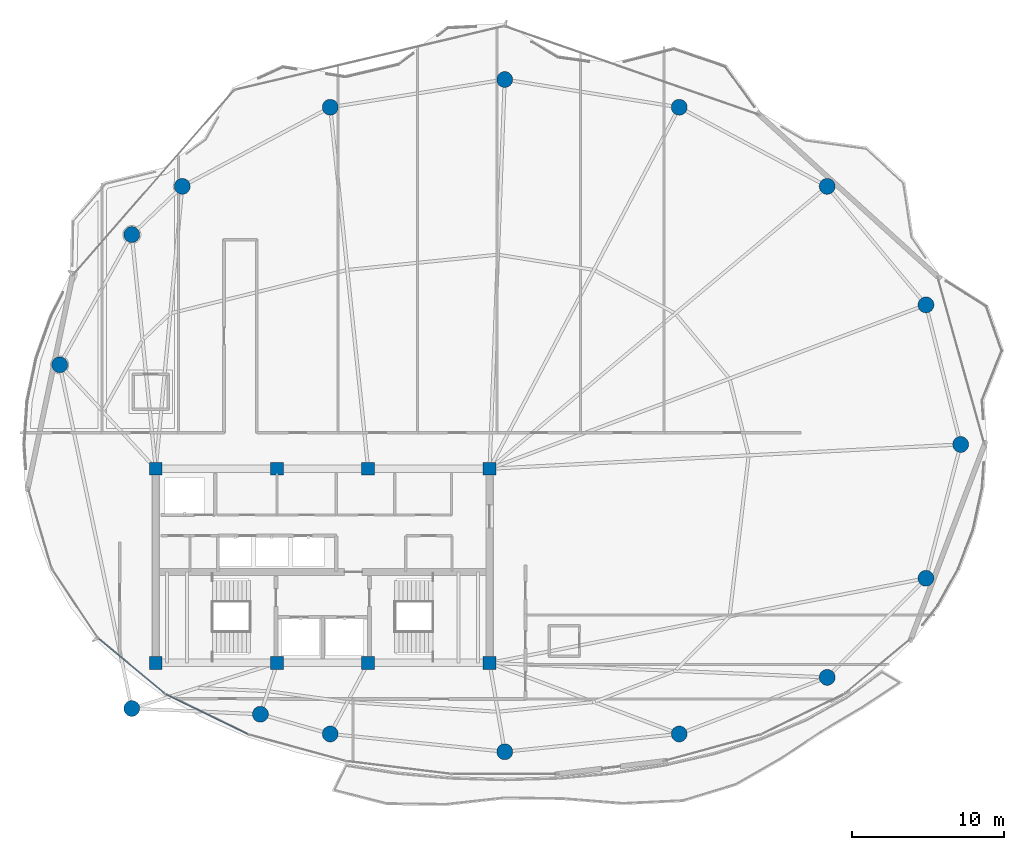
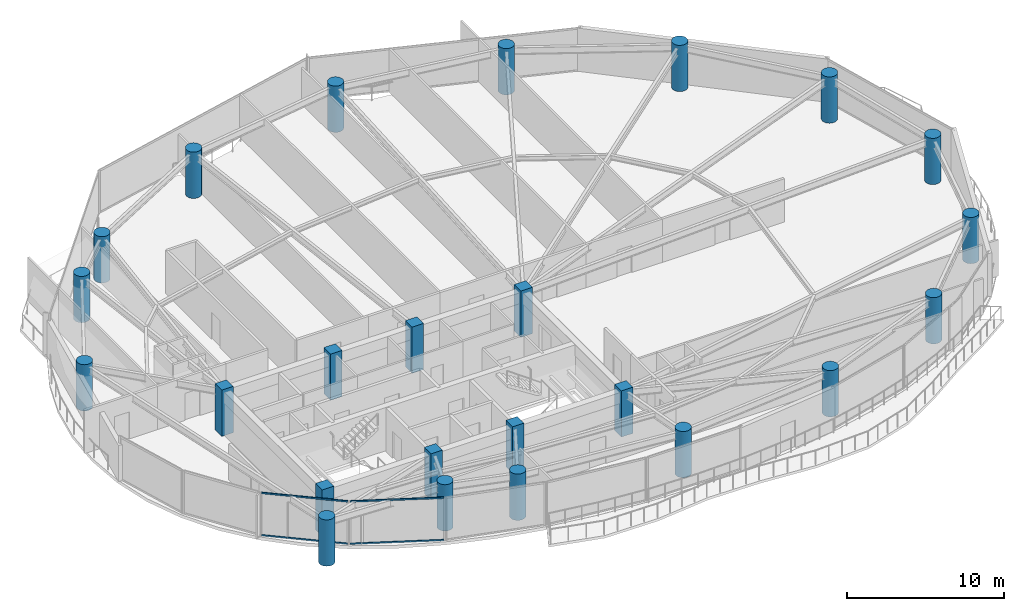
# One storey, part 1 of 29: 24 columns, 4 members, 2 elements without a shape of their own.
"""IFC4 building model written with IfcOpenShell, lengths in metres."""

from ifc_helpers import new_model, si_unit, direction, frame, origin, origin_2d, place, context, subcontext, project, spatial, rectangle, hollow_rectangle, circle, extrude, material, layer, layer_set, material_profile, profile_set, type_object, element, aggregate, save


model = new_model("IFC4")

# Units and contexts
model_context = context("Model", 3, precision=1e-05, world=origin(), true_north=direction((0.0, 1.0)))
body_context = subcontext(model_context, "Body", "Model", "MODEL_VIEW")
ifc_project = project(units=[si_unit("LENGTHUNIT", "METRE"), si_unit("AREAUNIT", "SQUARE_METRE"), si_unit("VOLUMEUNIT", "CUBIC_METRE"), si_unit("PLANEANGLEUNIT", "RADIAN"), si_unit("MASSUNIT", "GRAM", prefix="KILO")], contexts=[model_context])

# Site, building, storey
site_placement = place(None, origin())
site = spatial("IfcSite", under=ifc_project, at=site_placement, CompositionType="ELEMENT")
building_placement = place(site_placement, origin())
building = spatial("IfcBuilding", under=site, at=building_placement, Name="Kazevale Care Tower and Concert Hall", CompositionType="ELEMENT")
storey_placement = place(building_placement, frame((0.0, 0.0, 213.60009765625)))
storey = spatial("IfcBuildingStorey", under=building, at=storey_placement, Name="L56", CompositionType="ELEMENT", Elevation=213.60009765625)

# Columns
ifc_material_1 = material(Name="Concrete C50", Category="concrete")
ifc_material_profile_1 = material_profile(ifc_material_1, rectangle(XDim=0.85009765625, YDim=0.85009765625, at=origin_2d()), Name="RC-SQ850")
ifc_profile_set_1 = profile_set([ifc_material_profile_1], Name="Concrete C50")
column_type_1 = type_object("IfcColumnType", Name="Core Column SQ850 C50", PredefinedType="COLUMN", material=ifc_profile_set_1)
for number, where, z_axis, x_axis, name in (
    (1, (22.0, 23.60009765625, 0.0), (0.0, 0.0, 1.0), (1.0, 0.0, 0.0), "col:L56:CC-01"),
    (2, (30.0, 23.60009765625, 0.0), (0.0, 0.0, 1.0), (1.0, 0.0, 0.0), "col:L56:CC-02"),
    (3, (36.0, 23.60009765625, 0.0), (0.0, 0.0, 1.0), (1.0, 0.0, 0.0), "col:L56:CC-03"),
    (4, (44.0, 23.60009765625, 0.0), (0.0, 0.0, 1.0), (1.0, 0.0, 0.0), "col:L56:CC-04"),
    (5, (44.0, 36.39990234375, 0.0), (0.0, 0.0, 1.0), (1.0, 0.0, 0.0), "col:L56:CC-05"),
    (6, (36.0, 36.39990234375, 0.0), (0.0, 0.0, 1.0), (1.0, 0.0, 0.0), "col:L56:CC-06"),
    (7, (30.0, 36.39990234375, 0.0), (0.0, 0.0, 1.0), (1.0, 0.0, 0.0), "col:L56:CC-07"),
    (8, (22.0, 36.39990234375, 0.0), (0.0, 0.0, 1.0), (1.0, 0.0, 0.0), "col:L56:CC-08"),
):
    element("IfcColumn", number, at=place(storey_placement, frame(where, z_axis=z_axis, x_axis=x_axis)), inside=storey, type_object=column_type_1, Name=name, PredefinedType="COLUMN", context=body_context, shape_type="SweptSolid", body=[
        extrude(rectangle(XDim=0.85009765625, YDim=0.85009765625, at=origin_2d()), origin(), (0.0, 0.0, 1.0), 3.599853515625),
    ])
ifc_material_profile_2 = material_profile(ifc_material_1, circle(Radius=0.52490234375, at=origin_2d()), Name="RC-CIR1050")
ifc_profile_set_2 = profile_set([ifc_material_profile_2], Name="Concrete C50")
column_type_2 = type_object("IfcColumnType", Name="Perimeter Column CIR1050 C50", PredefinedType="COLUMN", material=ifc_profile_set_2)
for number, where, z_axis, x_axis, name in (
    (9, (75.050048828125, 38.0, 0.0), (0.0, 0.0, 1.0), (1.0, 0.0, 0.0), "col:L56:PC-01"),
    (10, (72.760009765625, 47.199951171875, 0.0), (0.0, 0.0, 1.0), (1.0, 0.0, 0.0), "col:L56:PC-02"),
    (11, (66.25, 55.010009765625, 0.0), (0.0, 0.0, 1.0), (1.0, 0.0, 0.0), "col:L56:PC-03"),
    (12, (56.5, 60.219970703125, 0.0), (0.0, 0.0, 1.0), (1.0, 0.0, 0.0), "col:L56:PC-04"),
    (13, (45.0, 62.050048828125, 0.0), (0.0, 0.0, 1.0), (1.0, 0.0, 0.0), "col:L56:PC-05"),
    (14, (33.5, 60.219970703125, 0.0), (0.0, 0.0, 1.0), (1.0, 0.0, 0.0), "col:L56:PC-06"),
    (15, (23.75, 55.010009765625, 0.0), (0.0, 0.0, 1.0), (1.0, 0.0, 0.0), "col:L56:PC-07"),
    (16, (20.419921875, 51.830078125, 0.0), (0.0, 0.0, 1.0), (1.0, 0.0, 0.0), "col:L56:PC-08"),
    (17, (15.669921875, 43.25, 0.0), (0.0, 0.0, 1.0), (1.0, 0.0, 0.0), "col:L56:PC-09"),
    (18, (20.419921875, 20.60009765625, 0.0), (0.0, 0.0, 1.0), (1.0, 0.0, 0.0), "col:L56:PC-10"),
    (19, (28.89990234375, 20.219970703125, 0.0), (0.0, 0.0, 1.0), (1.0, 0.0, 0.0), "col:L56:PC-11"),
    (20, (33.5, 18.919921875, 0.0), (0.0, 0.0, 1.0), (1.0, 0.0, 0.0), "col:L56:PC-12"),
    (21, (45.0, 17.75, 0.0), (0.0, 0.0, 1.0), (1.0, 0.0, 0.0), "col:L56:PC-13"),
    (22, (56.5, 18.919921875, 0.0), (0.0, 0.0, 1.0), (1.0, 0.0, 0.0), "col:L56:PC-14"),
    (23, (66.25, 22.64990234375, 0.0), (0.0, 0.0, 1.0), (1.0, 0.0, 0.0), "col:L56:PC-15"),
    (24, (72.760009765625, 29.179931640625, 0.0), (0.0, 0.0, 1.0), (1.0, 0.0, 0.0), "col:L56:PC-16"),
):
    element("IfcColumn", number, at=place(storey_placement, frame(where, z_axis=z_axis, x_axis=x_axis)), inside=storey, type_object=column_type_2, Name=name, PredefinedType="COLUMN", context=body_context, shape_type="SweptSolid", body=[
        extrude(circle(Radius=0.52490234375, at=origin_2d()), origin(), (0.0, 0.0, 1.0), 3.599853515625),
    ])

# Curtain wall, members
ifc_material_2 = material(Name="Aluminium 6063-T6 and Low-E Glass", Category="aluminium")
ifc_layer = layer(ifc_material_2, 0.179931640625)
ifc_layer_set = layer_set([ifc_layer], Name="Aluminium 6063-T6 and Low-E Glass")
curtain_wall_type = type_object("IfcCurtainWallType", Name="Sheltered Concave Balcony Curtain Wall CW-5", PredefinedType="NOTDEFINED", material=ifc_layer_set)
curtain_wall_1_placement = place(storey_placement, origin())
curtain_wall_1 = element("IfcCurtainWall", 25, at=curtain_wall_1_placement, inside=storey, type_object=curtain_wall_type, Name="cw:L56:f09", PredefinedType="NOTDEFINED")
ifc_material_3 = material(Name="Aluminium 6063-T6", Category="aluminium")
ifc_material_profile_3 = material_profile(ifc_material_3, hollow_rectangle(XDim=0.074951171875, YDim=0.1201171875, WallThickness=0.00390625, at=origin_2d()), Name="ALU75x120x4")
ifc_profile_set_3 = profile_set([ifc_material_profile_3], Name="Aluminium 6063-T6")
member_type = type_object("IfcMemberType", Name="CW-5 Transom ALU75x120x4", PredefinedType="USERDEFINED", material=ifc_profile_set_3)
member_1_placement = place(storey_placement, frame((28.07666015625, 18.90576171875, 0.037353515625), z_axis=(-0.899342308406, 0.437245254189, 0.0), x_axis=(-0.437245254189, -0.899342308406, 0.0)))
member_1 = element("IfcMember", 26, at=member_1_placement, type_object=member_type, Name="CW-5 transom 1.1", ObjectType="TRANSOM", PredefinedType="USERDEFINED", context=body_context, shape_type="SweptSolid", body=[
    extrude(hollow_rectangle(XDim=0.074951171875, YDim=0.1201171875, WallThickness=0.00390625, at=origin_2d()), origin(), (0.0, 0.0, 1.0), 6.00244140625),
])
member_2_placement = place(storey_placement, frame((28.07666015625, 18.90576171875, 3.322509765625), z_axis=(-0.899342308406, 0.437245254189, 0.0), x_axis=(-0.437245254189, -0.899342308406, 0.0)))
member_2 = element("IfcMember", 27, at=member_2_placement, type_object=member_type, Name="CW-5 transom 1.2", ObjectType="TRANSOM", PredefinedType="USERDEFINED", context=body_context, shape_type="SweptSolid", body=[
    extrude(hollow_rectangle(XDim=0.074951171875, YDim=0.1201171875, WallThickness=0.00390625, at=origin_2d()), origin(), (0.0, 0.0, 1.0), 6.00244140625),
])
aggregate(curtain_wall_1, [member_1, member_2])

curtain_wall_2_placement = place(storey_placement, origin())
curtain_wall_2 = element("IfcCurtainWall", 28, at=curtain_wall_2_placement, inside=storey, type_object=curtain_wall_type, Name="cw:L56:f10", PredefinedType="NOTDEFINED")
member_3_placement = place(storey_placement, frame((22.553466796875, 21.611083984375, 0.037353515625), z_axis=(-0.768432829708, 0.639930454211, 0.0), x_axis=(-0.639930454211, -0.768432829708, 0.0)))
member_3 = element("IfcMember", 29, at=member_3_placement, type_object=member_type, Name="CW-5 transom 1.1", ObjectType="TRANSOM", PredefinedType="USERDEFINED", context=body_context, shape_type="SweptSolid", body=[
    extrude(hollow_rectangle(XDim=0.074951171875, YDim=0.1201171875, WallThickness=0.00390625, at=origin_2d()), origin(), (0.0, 0.0, 1.0), 5.580078125),
])
member_4_placement = place(storey_placement, frame((22.553466796875, 21.611083984375, 3.322509765625), z_axis=(-0.768432829708, 0.639930454211, 0.0), x_axis=(-0.639930454211, -0.768432829708, 0.0)))
member_4 = element("IfcMember", 30, at=member_4_placement, type_object=member_type, Name="CW-5 transom 1.2", ObjectType="TRANSOM", PredefinedType="USERDEFINED", context=body_context, shape_type="SweptSolid", body=[
    extrude(hollow_rectangle(XDim=0.074951171875, YDim=0.1201171875, WallThickness=0.00390625, at=origin_2d()), origin(), (0.0, 0.0, 1.0), 5.580078125),
])
aggregate(curtain_wall_2, [member_3, member_4])

save(model, "model.ifc")
